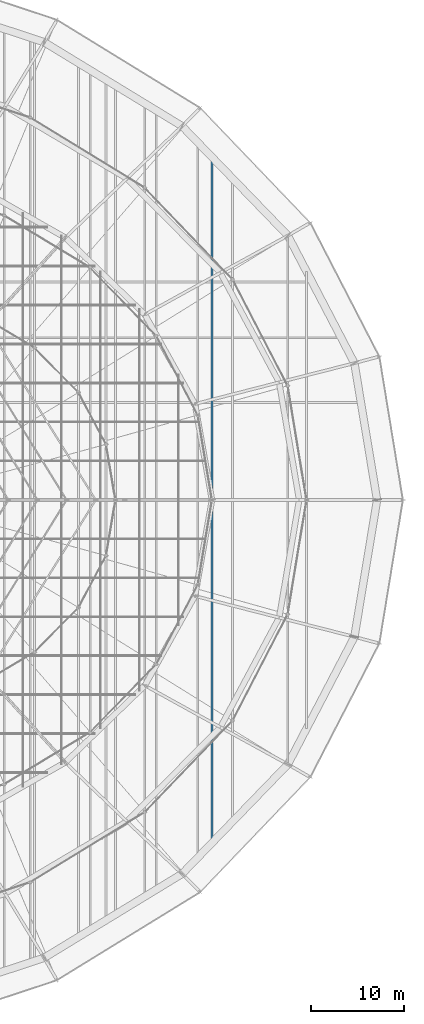
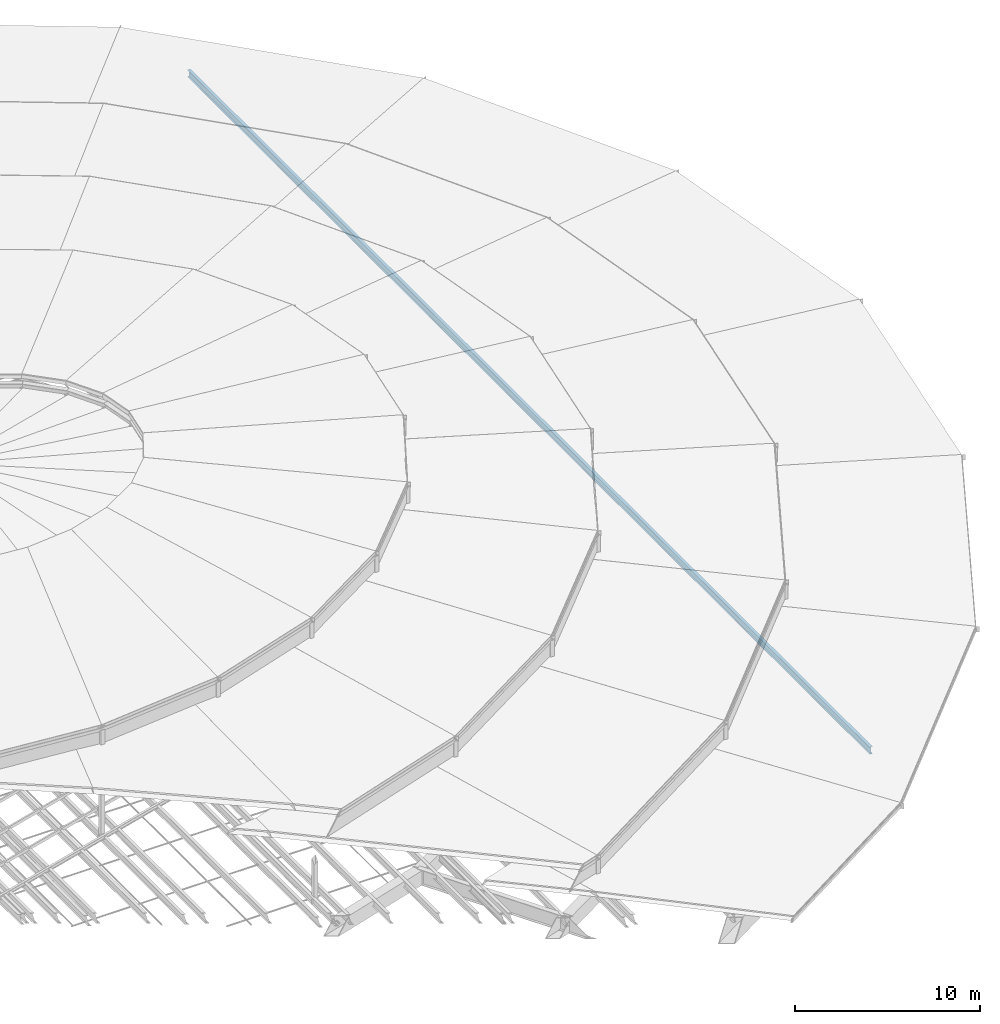
# One storey, part 129 of 184: 1 member.
"""IFC4 building model written with IfcOpenShell, lengths in metres."""

from ifc_helpers import new_model, si_unit, direction, frame, origin, origin_2d, place, context, subcontext, project, spatial, i_section, extrude, material, material_profile, profile_set, type_object, element, save


model = new_model("IFC4")

# Units and contexts
model_context = context("Model", 3, precision=1e-05, world=origin(), true_north=direction((0.0, 1.0)))
body_context = subcontext(model_context, "Body", "Model", "MODEL_VIEW")
ifc_project = project(units=[si_unit("LENGTHUNIT", "METRE"), si_unit("AREAUNIT", "SQUARE_METRE"), si_unit("VOLUMEUNIT", "CUBIC_METRE"), si_unit("PLANEANGLEUNIT", "RADIAN"), si_unit("MASSUNIT", "GRAM", prefix="KILO")], contexts=[model_context])

# Site, building, storey
site_placement = place(None, origin())
site = spatial("IfcSite", under=ifc_project, at=site_placement, CompositionType="ELEMENT")
building_placement = place(site_placement, origin())
building = spatial("IfcBuilding", under=site, at=building_placement, Name="Kalgoora Escarpment Arena", CompositionType="ELEMENT")
storey_placement = place(building_placement, frame((0.0, 0.0, 27.60009765625)))
storey = spatial("IfcBuildingStorey", under=building, at=storey_placement, Name="Roof Level", CompositionType="ELEMENT", Elevation=27.60009765625)

# Member
ifc_material = material(Name="Structural steel AS/NZS 3679 (300 MPa)", Category="steel")
ifc_material_profile = material_profile(ifc_material, i_section(OverallWidth=0.19091796875, OverallDepth=0.4599609375, WebThickness=0.010009765625, FlangeThickness=0.01611328125, at=origin_2d()))
ifc_profile_set = profile_set([ifc_material_profile], Name="Structural steel AS/NZS 3679 (300 MPa)")
member_type = type_object("IfcMemberType", Name="MEM-CARRIER-CHORD", PredefinedType="CHORD", material=ifc_profile_set)
member_placement = place(storey_placement, frame((146.39990234375, 27.036376953125, -1.02001953125), z_axis=(0.0, 1.0, 0.0), x_axis=(-1.0, 0.0, 0.0)))
element("IfcMember", 1, at=member_placement, inside=storey, type_object=member_type, Name="Petal RP3 spanning carrier chord C01", PredefinedType="CHORD", context=body_context, shape_type="SweptSolid", body=[
    extrude(i_section(OverallWidth=0.19091796875, OverallDepth=0.4599609375, WebThickness=0.010009765625, FlangeThickness=0.01611328125, at=origin_2d()), origin(), (0.0, 0.0, 1.0), 73.92724609375),
])

save(model, "model.ifc")
